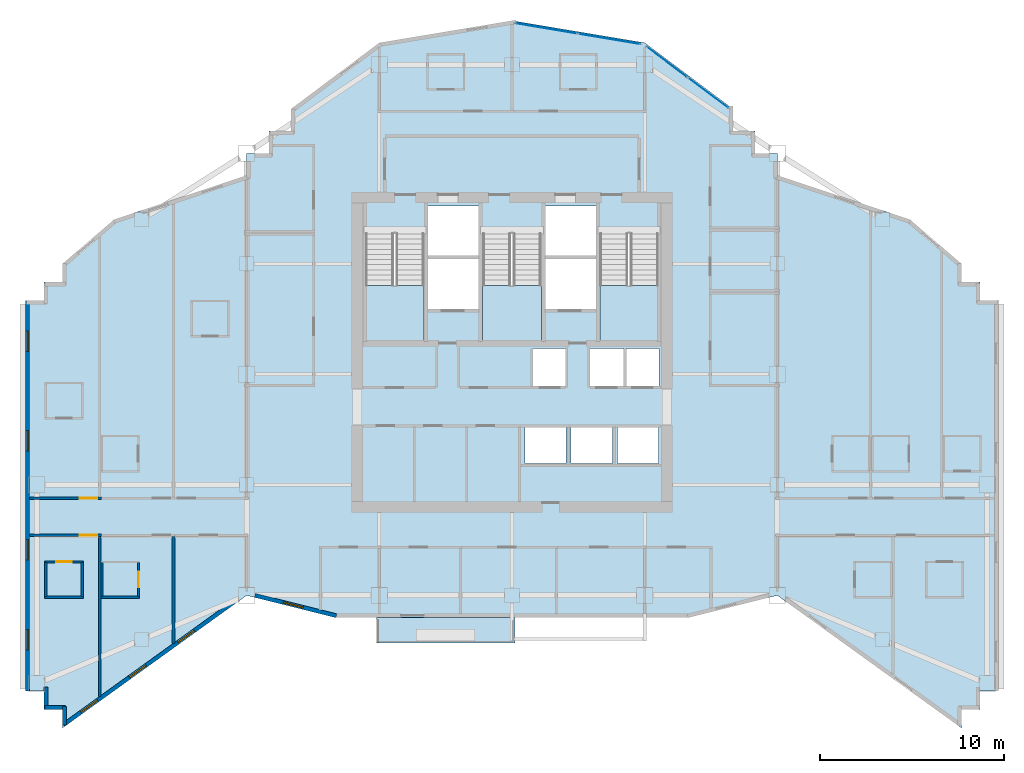
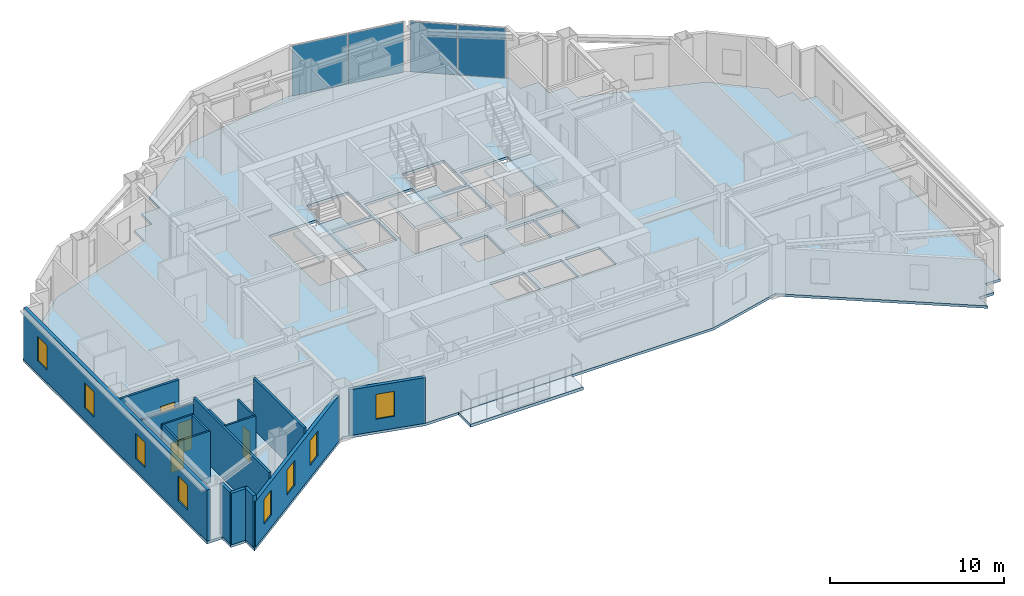
# One storey, part 4 of 13: 17 walls, 8 windows, 5 slabs, 4 doors, 4 plates, 12 openings, 5 elements without a shape of their own.
"""IFC4 building model written with IfcOpenShell, lengths in metres."""

from ifc_helpers import new_model, si_unit, direction, frame, frame_2d, origin, origin_2d, place, context, subcontext, project, spatial, polyline, rectangle, outline, extrude, material, layer, layer_set, type_object, element, fill, aggregate, save


model = new_model("IFC4")

# Units and contexts
model_context = context("Model", 3, precision=1e-05, world=origin(), true_north=direction((0.0, 1.0)))
body_context = subcontext(model_context, "Body", "Model", "MODEL_VIEW")
ifc_project = project(units=[si_unit("LENGTHUNIT", "METRE"), si_unit("AREAUNIT", "SQUARE_METRE"), si_unit("VOLUMEUNIT", "CUBIC_METRE"), si_unit("PLANEANGLEUNIT", "RADIAN"), si_unit("MASSUNIT", "GRAM", prefix="KILO")], contexts=[model_context])

# Site, building, storey
site_placement = place(None, origin())
site = spatial("IfcSite", under=ifc_project, at=site_placement, CompositionType="ELEMENT")
building_placement = place(site_placement, origin())
building = spatial("IfcBuilding", under=site, at=building_placement, Name="Haolan Belvedere Tower", CompositionType="ELEMENT")
storey_placement = place(building_placement, frame((0.0, 0.0, 219.199951171875)))
storey = spatial("IfcBuildingStorey", under=building, at=storey_placement, Name="L55", CompositionType="ELEMENT", Elevation=219.199951171875)

# Curtain wall, plates
ifc_material_1 = material(Name="Anodised champagne-silver aluminium 6063-T6 and Low-E glass", Category="aluminium")
ifc_layer_1 = layer(ifc_material_1, 0.14990234375, Name="Anodised champagne-silver aluminium 6063-T6 and Low-E glass")
ifc_layer_set_1 = layer_set([ifc_layer_1], Name="Anodised champagne-silver aluminium 6063-T6 and Low-E glass")
curtain_wall_type = type_object("IfcCurtainWallType", Name="CW-SYS-04", PredefinedType="NOTDEFINED", material=ifc_layer_set_1)
curtain_wall_1_placement = place(storey_placement, origin())
curtain_wall_1 = element("IfcCurtainWall", 1, at=curtain_wall_1_placement, inside=storey, type_object=curtain_wall_type, Name="L55 CW-SYS-04 ribbon curtain wall 20.1", PredefinedType="NOTDEFINED")
ifc_material_2 = material(Name="Double silver Low-E laminated insulating glass", Category="glass")
ifc_layer_2 = layer(ifc_material_2, 0.02392578125, Name="Double silver Low-E laminated insulating glass")
ifc_layer_set_2 = layer_set([ifc_layer_2], Name="Double silver Low-E laminated insulating glass")
plate_type = type_object("IfcPlateType", Name="CW-SYS-04-PNL", PredefinedType="CURTAIN_PANEL", material=ifc_layer_set_2)
plate_1_placement = place(storey_placement, frame((49.0390625, 48.883056640625, 0.052001953125), z_axis=(0.0, 0.0, 1.0), x_axis=(-0.799997871638, 0.600002837806, 0.0)))
plate_1 = element("IfcPlate", 2, at=plate_1_placement, type_object=plate_type, Name="CW-04 panel 1.1", PredefinedType="CURTAIN_PANEL", context=body_context, shape_type="SweptSolid", body=[
    extrude(rectangle(XDim=2.735107421875, YDim=0.02392578125, at=origin_2d()), origin(), (0.0, 0.0, 1.0), 3.51611328125),
])
plate_2_placement = place(storey_placement, frame((46.806396484375, 50.557861328125, 0.052001953125), z_axis=(0.0, 0.0, 1.0), x_axis=(-0.799997871638, 0.600002837806, 0.0)))
plate_2 = element("IfcPlate", 3, at=plate_2_placement, type_object=plate_type, Name="CW-04 panel 2.1", PredefinedType="CURTAIN_PANEL", context=body_context, shape_type="SweptSolid", body=[
    extrude(rectangle(XDim=2.735107421875, YDim=0.02392578125, at=origin_2d()), origin(), (0.0, 0.0, 1.0), 3.51611328125),
])
aggregate(curtain_wall_1, [plate_1, plate_2])

curtain_wall_2_placement = place(storey_placement, origin())
curtain_wall_2 = element("IfcCurtainWall", 4, at=curtain_wall_2_placement, inside=storey, type_object=curtain_wall_type, Name="L55 CW-SYS-04 ribbon curtain wall 21.1", PredefinedType="NOTDEFINED")
plate_3_placement = place(storey_placement, frame((43.683837890625, 51.807861328125, 0.052001953125), z_axis=(0.0, 0.0, 1.0), x_axis=(-0.98639276122, 0.164405962825, 0.0)))
plate_3 = element("IfcPlate", 5, at=plate_3_placement, type_object=plate_type, Name="CW-04 panel 1.1", PredefinedType="CURTAIN_PANEL", context=body_context, shape_type="SweptSolid", body=[
    extrude(rectangle(XDim=3.403076171875, YDim=0.02392578125, at=origin_2d()), origin(), (0.0, 0.0, 1.0), 3.51611328125),
])
plate_4_placement = place(storey_placement, frame((40.271728515625, 52.37646484375, 0.052001953125), z_axis=(0.0, 0.0, 1.0), x_axis=(-0.98639276122, 0.164405962825, 0.0)))
plate_4 = element("IfcPlate", 6, at=plate_4_placement, type_object=plate_type, Name="CW-04 panel 2.1", PredefinedType="CURTAIN_PANEL", context=body_context, shape_type="SweptSolid", body=[
    extrude(rectangle(XDim=3.403076171875, YDim=0.02392578125, at=origin_2d()), origin(), (0.0, 0.0, 1.0), 3.51611328125),
])
aggregate(curtain_wall_2, [plate_3, plate_4])

# Slabs
ifc_material_3 = material(Name="Concrete C40/50", Category="concrete")
ifc_layer_3 = layer(ifc_material_3, 0.2099609375, Name="Concrete C40/50")
ifc_layer_set_3 = layer_set([ifc_layer_3], Name="Concrete C40/50")
slab_type_1 = type_object("IfcSlabType", Name="SL-BAL-210", PredefinedType="FLOOR", material=ifc_layer_set_3)
slab_1_placement = place(storey_placement, frame((0.0, 0.0, -0.22998046875)))
element("IfcSlab", 7, at=slab_1_placement, inside=storey, type_object=slab_type_1, Name="L55 structural tree-planter balcony slab BAL-L55-S1", PredefinedType="FLOOR", context=body_context, shape_type="SweptSolid", body=[
    extrude(outline(polyline([(31.050048828125, 19.02001953125), (38.550048828125, 19.02001953125), (38.550048828125, 20.39990234375), (31.050048828125, 20.39990234375), (31.050048828125, 19.02001953125)])), origin(), (0.0, 0.0, 1.0), 0.2099609375),
])
ifc_layer_4 = layer(ifc_material_3, 0.179931640625, Name="Concrete C40/50")
ifc_layer_set_4 = layer_set([ifc_layer_4], Name="Concrete C40/50")
slab_type_2 = type_object("IfcSlabType", Name="SL-FLR-180", PredefinedType="FLOOR", material=ifc_layer_set_4)
slab_2_placement = place(storey_placement, frame((0.0, 0.0, -0.179931640625)))
element("IfcSlab", 8, at=slab_2_placement, inside=storey, type_object=slab_type_2, Name="L55 structural floor slab", PredefinedType="FLOOR", context=body_context, shape_type="SweptSolid", body=[
    extrude(outline(polyline([(24.0, 21.60009765625), (28.800048828125, 20.39990234375), (48.0, 20.39990234375), (52.800048828125, 21.60009765625), (62.800048828125, 14.39990234375), (62.800048828125, 15.39990234375), (63.800048828125, 15.39990234375), (63.800048828125, 16.39990234375), (64.800048828125, 16.39990234375), (64.800048828125, 37.60009765625), (63.800048828125, 37.60009765625), (63.800048828125, 38.60009765625), (62.800048828125, 38.60009765625), (62.800048828125, 39.60009765625), (60.0, 42.0), (52.800048828125, 44.39990234375), (52.800048828125, 45.60009765625), (51.60009765625, 45.60009765625), (51.60009765625, 46.800048828125), (50.39990234375, 46.800048828125), (50.39990234375, 48.0), (45.60009765625, 51.60009765625), (38.39990234375, 52.800048828125), (31.199951171875, 51.60009765625), (26.39990234375, 48.0), (26.39990234375, 46.800048828125), (25.199951171875, 46.800048828125), (25.199951171875, 45.60009765625), (24.0, 45.60009765625), (24.0, 44.39990234375), (16.800048828125, 42.0), (14.0, 39.60009765625), (14.0, 38.60009765625), (13.0, 38.60009765625), (13.0, 37.60009765625), (12.0, 37.60009765625), (12.0, 16.800048828125), (12.0, 16.39990234375), (13.0, 16.39990234375), (13.0, 15.39990234375), (14.0, 15.39990234375), (14.0, 14.39990234375), (24.0, 21.60009765625)]), holes=[polyline([(30.449951171875, 41.22998046875), (30.449951171875, 35.449951171875), (33.6298828125, 35.449951171875), (33.6298828125, 41.22998046875), (30.449951171875, 41.22998046875)]), polyline([(36.81005859375, 41.22998046875), (36.81005859375, 35.449951171875), (39.989990234375, 35.449951171875), (39.989990234375, 41.22998046875), (36.81005859375, 41.22998046875)]), polyline([(43.169921875, 41.22998046875), (43.169921875, 35.449951171875), (46.35009765625, 35.449951171875), (46.35009765625, 41.22998046875), (43.169921875, 41.22998046875)]), polyline([(33.830078125, 40.050048828125), (36.610107421875, 40.050048828125), (36.610107421875, 42.75), (33.830078125, 42.75), (33.830078125, 40.050048828125)]), polyline([(33.830078125, 37.14990234375), (36.610107421875, 37.14990234375), (36.610107421875, 39.85009765625), (33.830078125, 39.85009765625), (33.830078125, 37.14990234375)]), polyline([(40.18994140625, 40.050048828125), (42.969970703125, 40.050048828125), (42.969970703125, 42.75), (40.18994140625, 42.75), (40.18994140625, 40.050048828125)]), polyline([(40.18994140625, 37.14990234375), (42.969970703125, 37.14990234375), (42.969970703125, 39.85009765625), (40.18994140625, 39.85009765625), (40.18994140625, 37.14990234375)]), polyline([(39.5400390625, 32.949951171875), (41.389892578125, 32.949951171875), (41.389892578125, 35.0), (39.5400390625, 35.0), (39.5400390625, 32.949951171875)]), polyline([(42.6201171875, 32.949951171875), (44.469970703125, 32.949951171875), (44.469970703125, 35.0), (42.6201171875, 35.0), (42.6201171875, 32.949951171875)]), polyline([(44.580078125, 32.949951171875), (46.3798828125, 32.949951171875), (46.3798828125, 35.0), (44.580078125, 35.0), (44.580078125, 32.949951171875)]), polyline([(39.10009765625, 28.75), (41.340087890625, 28.75), (41.340087890625, 30.75), (39.10009765625, 30.75), (39.10009765625, 28.75)]), polyline([(41.610107421875, 28.75), (43.85009765625, 28.75), (43.85009765625, 30.75), (41.610107421875, 30.75), (41.610107421875, 28.75)]), polyline([(44.1201171875, 28.75), (46.360107421875, 28.75), (46.360107421875, 30.75), (44.1201171875, 30.75), (44.1201171875, 28.75)])]), origin(), (0.0, 0.0, 1.0), 0.179931640625),
])

# Stair, slab
stair_type = type_object("IfcStairType", Name="STR-DL-22R-173", PredefinedType="HALF_TURN_STAIR", material=ifc_material_3)
stair_1_placement = place(storey_placement, origin())
stair_1 = element("IfcStair", 9, at=stair_1_placement, inside=storey, type_object=stair_type, Name="L55 Smokeproof Core Exit Stair ST1", PredefinedType="HALF_TURN_STAIR")
ifc_layer_5 = layer(ifc_material_3, 0.199951171875, Name="Concrete C40/50")
ifc_layer_set_5 = layer_set([ifc_layer_5], Name="Concrete C40/50")
slab_type_3 = type_object("IfcSlabType", Name="SL-LAND-200", PredefinedType="LANDING", material=ifc_layer_set_5)
slab_3_placement = place(storey_placement, frame((0.0, 0.0, 1.699951171875)))
slab_3 = element("IfcSlab", 10, at=slab_3_placement, type_object=slab_type_3, Name="ST1 landing 1", PredefinedType="LANDING", context=body_context, shape_type="SweptSolid", body=[
    extrude(outline(polyline([(30.449951171875, 38.429931640625), (30.449951171875, 35.449951171875), (33.6298828125, 35.449951171875), (33.6298828125, 38.429931640625), (30.449951171875, 38.429931640625)])), origin(), (0.0, 0.0, 1.0), 0.2001953125),
])
aggregate(stair_1, [slab_3])

stair_2_placement = place(storey_placement, origin())
stair_2 = element("IfcStair", 11, at=stair_2_placement, inside=storey, type_object=stair_type, Name="L55 Smokeproof Core Exit Stair ST3", PredefinedType="HALF_TURN_STAIR")
slab_4_placement = place(storey_placement, frame((0.0, 0.0, 1.699951171875)))
slab_4 = element("IfcSlab", 12, at=slab_4_placement, type_object=slab_type_3, Name="ST3 landing 1", PredefinedType="LANDING", context=body_context, shape_type="SweptSolid", body=[
    extrude(outline(polyline([(36.81005859375, 38.429931640625), (36.81005859375, 35.449951171875), (39.989990234375, 35.449951171875), (39.989990234375, 38.429931640625), (36.81005859375, 38.429931640625)])), origin(), (0.0, 0.0, 1.0), 0.2001953125),
])
aggregate(stair_2, [slab_4])

stair_3_placement = place(storey_placement, origin())
stair_3 = element("IfcStair", 13, at=stair_3_placement, inside=storey, type_object=stair_type, Name="L55 Smokeproof Core Exit Stair ST2", PredefinedType="HALF_TURN_STAIR")
slab_5_placement = place(storey_placement, frame((0.0, 0.0, 1.699951171875)))
slab_5 = element("IfcSlab", 14, at=slab_5_placement, type_object=slab_type_3, Name="ST2 landing 1", PredefinedType="LANDING", context=body_context, shape_type="SweptSolid", body=[
    extrude(outline(polyline([(43.169921875, 38.429931640625), (43.169921875, 35.449951171875), (46.35009765625, 35.449951171875), (46.35009765625, 38.429931640625), (43.169921875, 38.429931640625)])), origin(), (0.0, 0.0, 1.0), 0.2001953125),
])
aggregate(stair_3, [slab_5])

# Wall, openings, windows
ifc_material_4 = material(Name="Precast concrete C40/50", Category="concrete")
ifc_layer_6 = layer(ifc_material_4, 0.219970703125, Name="Precast concrete C40/50")
ifc_layer_set_6 = layer_set([ifc_layer_6], Name="Precast concrete C40/50")
wall_type_1 = type_object("IfcWallType", Name="WL-EXT-220", PredefinedType="SOLIDWALL", material=ifc_layer_set_6)
wall_1_placement = place(storey_placement, frame((12.110107421875, 37.544921875, 0.0), z_axis=(0.0, 0.0, 1.0), x_axis=(0.0, -1.0, 0.0)))
wall_1 = element("IfcWall", 15, at=wall_1_placement, inside=storey, type_object=wall_type_1, Name="L55 pale-metal exterior spandrel wall 35.1", PredefinedType="SOLIDWALL", context=body_context, shape_type="SweptSolid", body=[
    extrude(rectangle(XDim=21.14501953125, YDim=0.219970703125, at=frame_2d((10.572509765625, 0.0))), origin(), (0.0, 0.0, 1.0), 3.6201171875),
])
opening_1_placement = place(wall_1_placement, frame((1.60009765625, 0.0, 0.85009765625)))
opening_1 = element("IfcOpeningElement", 16, at=opening_1_placement, cuts=wall_1, Name="Opening W-03", PredefinedType="OPENING", context=body_context, shape_type="SweptSolid", body=[
    extrude(rectangle(XDim=1.10009765625, YDim=1.75, at=frame_2d((0.550048828125, 0.875))), frame((0.0, 0.119873046875, 0.0), z_axis=(0.0, -1.0, 0.0), x_axis=(1.0, 0.0, 0.0)), (0.0, 0.0, 1.0), 0.239990234375),
])
opening_2_placement = place(wall_1_placement, frame((7.0, 0.0, 0.85009765625)))
opening_2 = element("IfcOpeningElement", 17, at=opening_2_placement, cuts=wall_1, Name="Opening W-03", PredefinedType="OPENING", context=body_context, shape_type="SweptSolid", body=[
    extrude(rectangle(XDim=1.10009765625, YDim=1.75, at=frame_2d((0.550048828125, 0.875))), frame((0.0, 0.119873046875, 0.0), z_axis=(0.0, -1.0, 0.0), x_axis=(1.0, 0.0, 0.0)), (0.0, 0.0, 1.0), 0.239990234375),
])
opening_3_placement = place(wall_1_placement, frame((12.909912109375, 0.0, 0.85009765625)))
opening_3 = element("IfcOpeningElement", 18, at=opening_3_placement, cuts=wall_1, Name="Opening W-03", PredefinedType="OPENING", context=body_context, shape_type="SweptSolid", body=[
    extrude(rectangle(XDim=1.10009765625, YDim=1.75, at=frame_2d((0.550048828125, 0.875))), frame((0.0, 0.119873046875, 0.0), z_axis=(0.0, -1.0, 0.0), x_axis=(1.0, 0.0, 0.0)), (0.0, 0.0, 1.0), 0.239990234375),
])
opening_4_placement = place(wall_1_placement, frame((17.800048828125, 0.0, 0.85009765625)))
opening_4 = element("IfcOpeningElement", 19, at=opening_4_placement, cuts=wall_1, Name="Opening W-03", PredefinedType="OPENING", context=body_context, shape_type="SweptSolid", body=[
    extrude(rectangle(XDim=1.10009765625, YDim=1.75, at=frame_2d((0.550048828125, 0.875))), frame((0.0, 0.119873046875, 0.0), z_axis=(0.0, -1.0, 0.0), x_axis=(1.0, 0.0, 0.0)), (0.0, 0.0, 1.0), 0.239990234375),
])
ifc_material_5 = material(Name="Anodised aluminium 6063-T6 and Low-E glass", Category="aluminium")
window_type = type_object("IfcWindowType", Name="WN-DECO-Z3", PartitioningType="SINGLE_PANEL", PredefinedType="WINDOW", material=ifc_material_5)
window_1_placement = place(opening_1_placement, origin())
window_1 = element("IfcWindow", 20, at=window_1_placement, inside=storey, type_object=window_type, Name="L55 Art Deco chevron window 1", OverallHeight=1.75, OverallWidth=1.10009765625, PartitioningType="SINGLE_PANEL", PredefinedType="WINDOW", context=body_context, shape_type="SweptSolid", body=[
    extrude(rectangle(XDim=1.10009765625, YDim=1.75, at=frame_2d((0.550048828125, 0.875))), frame((0.0, 0.030029296875, 0.0), z_axis=(0.0, -1.0, 0.0), x_axis=(1.0, 0.0, 0.0)), (0.0, 0.0, 1.0), 0.06005859375),
])
fill(opening_1, window_1)
window_2_placement = place(opening_2_placement, origin())
window_2 = element("IfcWindow", 21, at=window_2_placement, inside=storey, type_object=window_type, Name="L55 Art Deco chevron window 2", OverallHeight=1.75, OverallWidth=1.10009765625, PartitioningType="SINGLE_PANEL", PredefinedType="WINDOW", context=body_context, shape_type="SweptSolid", body=[
    extrude(rectangle(XDim=1.10009765625, YDim=1.75, at=frame_2d((0.550048828125, 0.875))), frame((0.0, 0.030029296875, 0.0), z_axis=(0.0, -1.0, 0.0), x_axis=(1.0, 0.0, 0.0)), (0.0, 0.0, 1.0), 0.06005859375),
])
fill(opening_2, window_2)
window_3_placement = place(opening_3_placement, origin())
window_3 = element("IfcWindow", 22, at=window_3_placement, inside=storey, type_object=window_type, Name="L55 Art Deco chevron window 3", OverallHeight=1.75, OverallWidth=1.10009765625, PartitioningType="SINGLE_PANEL", PredefinedType="WINDOW", context=body_context, shape_type="SweptSolid", body=[
    extrude(rectangle(XDim=1.10009765625, YDim=1.75, at=frame_2d((0.550048828125, 0.875))), frame((0.0, 0.030029296875, 0.0), z_axis=(0.0, -1.0, 0.0), x_axis=(1.0, 0.0, 0.0)), (0.0, 0.0, 1.0), 0.06005859375),
])
fill(opening_3, window_3)
window_4_placement = place(opening_4_placement, origin())
window_4 = element("IfcWindow", 23, at=window_4_placement, inside=storey, type_object=window_type, Name="L55 Art Deco chevron window 4", OverallHeight=1.75, OverallWidth=1.10009765625, PartitioningType="SINGLE_PANEL", PredefinedType="WINDOW", context=body_context, shape_type="SweptSolid", body=[
    extrude(rectangle(XDim=1.10009765625, YDim=1.75, at=frame_2d((0.550048828125, 0.875))), frame((0.0, 0.030029296875, 0.0), z_axis=(0.0, -1.0, 0.0), x_axis=(1.0, 0.0, 0.0)), (0.0, 0.0, 1.0), 0.06005859375),
])
fill(opening_4, window_4)

# Walls
wall_2_placement = place(storey_placement, frame((13.110107421875, 16.6201171875, 0.0), z_axis=(0.0, 0.0, 1.0), x_axis=(0.0, -1.0, 0.0)))
element("IfcWall", 24, at=wall_2_placement, inside=storey, type_object=wall_type_1, Name="L55 pale-metal exterior spandrel wall 37.1", PredefinedType="SOLIDWALL", context=body_context, shape_type="SweptSolid", body=[
    extrude(rectangle(XDim=1.1650390625, YDim=0.219970703125, at=frame_2d((0.58251953125, 0.0))), origin(), (0.0, 0.0, 1.0), 3.6201171875),
])
wall_3_placement = place(storey_placement, frame((13.054931640625, 15.510009765625, 0.0), z_axis=(0.0, 0.0, 1.0), x_axis=(1.0, 0.0, 0.0)))
element("IfcWall", 25, at=wall_3_placement, inside=storey, type_object=wall_type_1, Name="L55 pale-metal exterior spandrel wall 38.1", PredefinedType="SOLIDWALL", context=body_context, shape_type="SweptSolid", body=[
    extrude(rectangle(XDim=1.110107421875, YDim=0.219970703125, at=frame_2d((0.55517578125, 0.0))), origin(), (0.0, 0.0, 1.0), 3.6201171875),
])
wall_4_placement = place(storey_placement, frame((14.110107421875, 15.56494140625, 0.0), z_axis=(0.0, 0.0, 1.0), x_axis=(0.0, -1.0, 0.0)))
element("IfcWall", 26, at=wall_4_placement, inside=storey, type_object=wall_type_1, Name="L55 pale-metal exterior spandrel wall 39.1", PredefinedType="SOLIDWALL", context=body_context, shape_type="SweptSolid", body=[
    extrude(rectangle(XDim=1.005126953125, YDim=0.219970703125, at=frame_2d((0.50244140625, 0.0))), origin(), (0.0, 0.0, 1.0), 3.6201171875),
])

# Wall, openings, windows
wall_5_placement = place(storey_placement, frame((14.0654296875, 14.58251953125, 0.0), z_axis=(0.0, 0.0, 1.0), x_axis=(0.811534737332, 0.58430417601, 0.0)))
wall_5 = element("IfcWall", 27, at=wall_5_placement, inside=storey, type_object=wall_type_1, Name="L55 pale-metal exterior spandrel wall 40.1", PredefinedType="SOLIDWALL", context=body_context, shape_type="SweptSolid", body=[
    extrude(rectangle(XDim=11.697265625, YDim=0.219970703125, at=frame_2d((5.8486328125, 0.0))), origin(), (0.0, 0.0, 1.0), 3.215087890625),
])
opening_5_placement = place(wall_5_placement, frame((1.1591796875, 0.0, 0.85009765625)))
opening_5 = element("IfcOpeningElement", 28, at=opening_5_placement, cuts=wall_5, Name="Opening W-03", PredefinedType="OPENING", context=body_context, shape_type="SweptSolid", body=[
    extrude(rectangle(XDim=1.10009765625, YDim=1.75, at=frame_2d((0.550048828125, 0.875))), frame((0.0, 0.119873046875, 0.0), z_axis=(0.0, -1.0, 0.0), x_axis=(1.0, 0.0, 0.0)), (0.0, 0.0, 1.0), 0.239990234375),
])
opening_6_placement = place(wall_5_placement, frame((7.64599609375, 0.0, 0.85009765625)))
opening_6 = element("IfcOpeningElement", 29, at=opening_6_placement, cuts=wall_5, Name="Opening W-03", PredefinedType="OPENING", context=body_context, shape_type="SweptSolid", body=[
    extrude(rectangle(XDim=1.10009765625, YDim=1.75, at=frame_2d((0.550048828125, 0.875))), frame((0.0, 0.119873046875, 0.0), z_axis=(0.0, -1.0, 0.0), x_axis=(1.0, 0.0, 0.0)), (0.0, 0.0, 1.0), 0.239990234375),
])
opening_7_placement = place(wall_5_placement, frame((4.402587890625, 0.0, 0.85009765625)))
opening_7 = element("IfcOpeningElement", 30, at=opening_7_placement, cuts=wall_5, Name="Opening W-03", PredefinedType="OPENING", context=body_context, shape_type="SweptSolid", body=[
    extrude(rectangle(XDim=1.10009765625, YDim=1.75, at=frame_2d((0.550048828125, 0.875))), frame((0.0, 0.119873046875, 0.0), z_axis=(0.0, -1.0, 0.0), x_axis=(1.0, 0.0, 0.0)), (0.0, 0.0, 1.0), 0.239990234375),
])
window_5_placement = place(opening_5_placement, origin())
window_5 = element("IfcWindow", 31, at=window_5_placement, inside=storey, type_object=window_type, Name="L55 Art Deco chevron window 1", OverallHeight=1.75, OverallWidth=1.10009765625, PartitioningType="SINGLE_PANEL", PredefinedType="WINDOW", context=body_context, shape_type="SweptSolid", body=[
    extrude(rectangle(XDim=1.10009765625, YDim=1.75, at=frame_2d((0.550048828125, 0.875))), frame((0.0, 0.030029296875, 0.0), z_axis=(0.0, -1.0, 0.0), x_axis=(1.0, 0.0, 0.0)), (0.0, 0.0, 1.0), 0.06005859375),
])
fill(opening_5, window_5)
window_6_placement = place(opening_6_placement, origin())
window_6 = element("IfcWindow", 32, at=window_6_placement, inside=storey, type_object=window_type, Name="L55 Art Deco chevron window 2", OverallHeight=1.75, OverallWidth=1.10009765625, PartitioningType="SINGLE_PANEL", PredefinedType="WINDOW", context=body_context, shape_type="SweptSolid", body=[
    extrude(rectangle(XDim=1.10009765625, YDim=1.75, at=frame_2d((0.550048828125, 0.875))), frame((0.0, 0.030029296875, 0.0), z_axis=(0.0, -1.0, 0.0), x_axis=(1.0, 0.0, 0.0)), (0.0, 0.0, 1.0), 0.06005859375),
])
fill(opening_6, window_6)
window_7_placement = place(opening_7_placement, origin())
window_7 = element("IfcWindow", 33, at=window_7_placement, inside=storey, type_object=window_type, Name="L55 Art Deco guestroom window 2", OverallHeight=1.75, OverallWidth=1.10009765625, PartitioningType="SINGLE_PANEL", PredefinedType="WINDOW", context=body_context, shape_type="SweptSolid", body=[
    extrude(rectangle(XDim=1.10009765625, YDim=1.75, at=frame_2d((0.550048828125, 0.875))), frame((0.0, 0.030029296875, 0.0), z_axis=(0.0, -1.0, 0.0), x_axis=(1.0, 0.0, 0.0)), (0.0, 0.0, 1.0), 0.06005859375),
])
fill(opening_7, window_7)

# Wall, opening, window
wall_6_placement = place(storey_placement, frame((24.44189453125, 21.602783203125, 0.0), z_axis=(0.0, 0.0, 1.0), x_axis=(0.970145648609, -0.242523030833, 0.0)))
wall_6 = element("IfcWall", 34, at=wall_6_placement, inside=storey, type_object=wall_type_1, Name="L55 pale-metal exterior spandrel wall 41.1", PredefinedType="SOLIDWALL", context=body_context, shape_type="SweptSolid", body=[
    extrude(rectangle(XDim=4.561279296875, YDim=0.219970703125, at=frame_2d((2.28076171875, 0.0))), origin(), (0.0, 0.0, 1.0), 3.215087890625),
])
opening_8_placement = place(wall_6_placement, frame((1.60009765625, 0.0, 0.85009765625)))
opening_8 = element("IfcOpeningElement", 35, at=opening_8_placement, cuts=wall_6, Name="Opening W-03", PredefinedType="OPENING", context=body_context, shape_type="SweptSolid", body=[
    extrude(rectangle(XDim=1.10009765625, YDim=1.75, at=frame_2d((0.550048828125, 0.875))), frame((0.0, 0.119873046875, 0.0), z_axis=(0.0, -1.0, 0.0), x_axis=(1.0, 0.0, 0.0)), (0.0, 0.0, 1.0), 0.239990234375),
])
window_8_placement = place(opening_8_placement, origin())
window_8 = element("IfcWindow", 36, at=window_8_placement, inside=storey, type_object=window_type, Name="L55 Art Deco chevron window 1", OverallHeight=1.75, OverallWidth=1.10009765625, PartitioningType="SINGLE_PANEL", PredefinedType="WINDOW", context=body_context, shape_type="SweptSolid", body=[
    extrude(rectangle(XDim=1.10009765625, YDim=1.75, at=frame_2d((0.550048828125, 0.875))), frame((0.0, 0.030029296875, 0.0), z_axis=(0.0, -1.0, 0.0), x_axis=(1.0, 0.0, 0.0)), (0.0, 0.0, 1.0), 0.06005859375),
])
fill(opening_8, window_8)

# Wall, opening, door
ifc_material_6 = material(Name="Double gypsum acoustic stud partition", Category="masonry")
ifc_layer_7 = layer(ifc_material_6, 0.14990234375, Name="Double gypsum acoustic stud partition")
ifc_layer_set_7 = layer_set([ifc_layer_7], Name="Double gypsum acoustic stud partition")
wall_type_2 = type_object("IfcWallType", Name="WL-PART-150", PredefinedType="PARTITIONING", material=ifc_layer_set_7)
wall_7_placement = place(storey_placement, frame((12.2119140625, 26.8798828125, 0.0), z_axis=(0.0, 0.0, 1.0), x_axis=(1.0, 0.0, 0.0)))
wall_7 = element("IfcWall", 37, at=wall_7_placement, inside=storey, type_object=wall_type_2, Name="L55 interior partition IW-L55-T2N1-S", PredefinedType="PARTITIONING", context=body_context, shape_type="SweptSolid", body=[
    extrude(rectangle(XDim=3.91796875, YDim=0.14990234375, at=frame_2d((1.958984375, 0.0))), origin(), (0.0, 0.0, 1.0), 3.6201171875),
])
opening_9_placement = place(wall_7_placement, frame((2.71337890625, 0.0, 0.0)))
opening_9 = element("IfcOpeningElement", 38, at=opening_9_placement, cuts=wall_7, Name="Opening ID-02", PredefinedType="OPENING", context=body_context, shape_type="SweptSolid", body=[
    extrude(rectangle(XDim=0.949951171875, YDim=2.14990234375, at=frame_2d((0.47509765625, 1.074951171875))), frame((0.0, 0.0849609375, 0.0), z_axis=(0.0, -1.0, 0.0), x_axis=(1.0, 0.0, 0.0)), (0.0, 0.0, 1.0), 0.169921875),
])
ifc_material_7 = material(Name="Acoustic oak veneer fire-rated timber", Category="wood")
door_type_1 = type_object("IfcDoorType", Name="DR-GUEST-950", OperationType="NOTDEFINED", PredefinedType="DOOR", material=ifc_material_7)
door_1_placement = place(opening_9_placement, origin())
door_1 = element("IfcDoor", 39, at=door_1_placement, inside=storey, type_object=door_type_1, Name="L55 door ID-L55-T2N1-ENT", OperationType="SINGLE_SWING_RIGHT", OverallHeight=2.14990234375, OverallWidth=0.949951171875, PredefinedType="DOOR", context=body_context, shape_type="SweptSolid", body=[
    extrude(rectangle(XDim=0.949951171875, YDim=2.14990234375, at=frame_2d((0.47509765625, 1.074951171875))), frame((0.0, 0.02490234375, 0.0), z_axis=(0.0, -1.0, 0.0), x_axis=(1.0, 0.0, 0.0)), (0.0, 0.0, 1.0), 0.050048828125),
])
fill(opening_9, door_1)

wall_8_placement = place(storey_placement, frame((12.2119140625, 24.8701171875, 0.0), z_axis=(0.0, 0.0, 1.0), x_axis=(1.0, 0.0, 0.0)))
wall_8 = element("IfcWall", 40, at=wall_8_placement, inside=storey, type_object=wall_type_2, Name="L55 interior partition IW-L55-T2S1-N", PredefinedType="PARTITIONING", context=body_context, shape_type="SweptSolid", body=[
    extrude(rectangle(XDim=3.91796875, YDim=0.14990234375, at=frame_2d((1.958984375, 0.0))), origin(), (0.0, 0.0, 1.0), 3.255126953125),
])
opening_10_placement = place(wall_8_placement, frame((3.663330078125, 0.0, 0.0), z_axis=(0.0, 0.0, 1.0), x_axis=(-1.0, 0.0, 0.0)))
opening_10 = element("IfcOpeningElement", 41, at=opening_10_placement, cuts=wall_8, Name="Opening ID-02", PredefinedType="OPENING", context=body_context, shape_type="SweptSolid", body=[
    extrude(rectangle(XDim=0.949951171875, YDim=2.14990234375, at=frame_2d((0.47509765625, 1.074951171875))), frame((0.0, 0.0849609375, 0.0), z_axis=(0.0, -1.0, 0.0), x_axis=(1.0, 0.0, 0.0)), (0.0, 0.0, 1.0), 0.169921875),
])
door_2_placement = place(opening_10_placement, origin())
door_2 = element("IfcDoor", 42, at=door_2_placement, inside=storey, type_object=door_type_1, Name="L55 door ID-L55-T2S1-ENT", OperationType="SINGLE_SWING_LEFT", OverallHeight=2.14990234375, OverallWidth=0.949951171875, PredefinedType="DOOR", context=body_context, shape_type="SweptSolid", body=[
    extrude(rectangle(XDim=0.949951171875, YDim=2.14990234375, at=frame_2d((0.47509765625, 1.074951171875))), frame((0.0, 0.02490234375, 0.0), z_axis=(0.0, -1.0, 0.0), x_axis=(1.0, 0.0, 0.0)), (0.0, 0.0, 1.0), 0.050048828125),
])
fill(opening_10, door_2)

# Walls
wall_9_placement = place(storey_placement, frame((16.030029296875, 16.122802734375, 0.0), z_axis=(0.0, 0.0, 1.0), x_axis=(0.0, 1.0, 0.0)))
element("IfcWall", 43, at=wall_9_placement, inside=storey, type_object=wall_type_2, Name="L55 interior partition IW-L55-T2S1-E", PredefinedType="PARTITIONING", context=body_context, shape_type="SweptSolid", body=[
    extrude(rectangle(XDim=8.687255859375, YDim=0.14990234375, at=frame_2d((4.34375, 0.0))), origin(), (0.0, 0.0, 1.0), 3.6201171875),
])
wall_10_placement = place(storey_placement, frame((20.02001953125, 18.99560546875, 0.0), z_axis=(0.0, 0.0, 1.0), x_axis=(0.0, 1.0, 0.0)))
element("IfcWall", 44, at=wall_10_placement, inside=storey, type_object=wall_type_2, Name="L55 interior partition IW-L55-T2S2-E", PredefinedType="PARTITIONING", context=body_context, shape_type="SweptSolid", body=[
    extrude(rectangle(XDim=5.814453125, YDim=0.14990234375, at=frame_2d((2.9072265625, 0.0))), origin(), (0.0, 0.0, 1.0), 3.6201171875),
])

# Wall, opening, door
ifc_material_8 = material(Name="Moisture-resistant gypsum tile partition", Category="masonry")
ifc_layer_8 = layer(ifc_material_8, 0.1201171875, Name="Moisture-resistant gypsum tile partition")
ifc_layer_set_8 = layer_set([ifc_layer_8], Name="Moisture-resistant gypsum tile partition")
wall_type_3 = type_object("IfcWallType", Name="WL-WET-120", PredefinedType="PARTITIONING", material=ifc_layer_set_8)
wall_11_placement = place(storey_placement, frame((13.030029296875, 23.419921875, 0.0), z_axis=(0.0, 0.0, 1.0), x_axis=(1.0, 0.0, 0.0)))
wall_11 = element("IfcWall", 45, at=wall_11_placement, inside=storey, type_object=wall_type_3, Name="L55 interior partition IW-L55-T2S1-BN", PredefinedType="PARTITIONING", context=body_context, shape_type="SweptSolid", body=[
    extrude(rectangle(XDim=2.099853515625, YDim=0.1201171875, at=frame_2d((1.0498046875, 0.0))), origin(), (0.0, 0.0, 1.0), 3.6201171875),
])
opening_11_placement = place(wall_11_placement, frame((1.47509765625, 0.0, 0.0), z_axis=(0.0, 0.0, 1.0), x_axis=(-1.0, 0.0, 0.0)))
opening_11 = element("IfcOpeningElement", 46, at=opening_11_placement, cuts=wall_11, Name="Opening ID-05", PredefinedType="OPENING", context=body_context, shape_type="SweptSolid", body=[
    extrude(rectangle(XDim=0.85009765625, YDim=2.10009765625, at=frame_2d((0.425048828125, 1.050048828125))), frame((0.0, 0.070068359375, 0.0), z_axis=(0.0, -1.0, 0.0), x_axis=(1.0, 0.0, 0.0)), (0.0, 0.0, 1.0), 0.14013671875),
])
ifc_material_9 = material(Name="Moisture-resistant lacquered timber", Category="wood")
door_type_2 = type_object("IfcDoorType", Name="DR-BATH-850", OperationType="NOTDEFINED", PredefinedType="DOOR", material=ifc_material_9)
door_3_placement = place(opening_11_placement, origin())
door_3 = element("IfcDoor", 47, at=door_3_placement, inside=storey, type_object=door_type_2, Name="L55 door ID-L55-T2S1-BATH", OperationType="SINGLE_SWING_RIGHT", OverallHeight=2.10009765625, OverallWidth=0.85009765625, PredefinedType="DOOR", context=body_context, shape_type="SweptSolid", body=[
    extrude(rectangle(XDim=0.85009765625, YDim=2.10009765625, at=frame_2d((0.425048828125, 1.050048828125))), frame((0.0, 0.02490234375, 0.0), z_axis=(0.0, -1.0, 0.0), x_axis=(1.0, 0.0, 0.0)), (0.0, 0.0, 1.0), 0.050048828125),
])
fill(opening_11, door_3)

# Walls
wall_12_placement = place(storey_placement, frame((13.030029296875, 21.5, 0.0), z_axis=(0.0, 0.0, 1.0), x_axis=(1.0, 0.0, 0.0)))
element("IfcWall", 48, at=wall_12_placement, inside=storey, type_object=wall_type_3, Name="L55 interior partition IW-L55-T2S1-BS", PredefinedType="PARTITIONING", context=body_context, shape_type="SweptSolid", body=[
    extrude(rectangle(XDim=2.099853515625, YDim=0.1201171875, at=frame_2d((1.0498046875, 0.0))), origin(), (0.0, 0.0, 1.0), 3.6201171875),
])
for number, where, z_axis, x_axis, name in (
    (49, (13.090087890625, 21.544921875, 0.0), (0.0, 0.0, 1.0), (0.0, 1.0, 0.0), "L55 interior partition IW-L55-T2S1-BW"),
    (50, (15.070068359375, 21.544921875, 0.0), (0.0, 0.0, 1.0), (0.0, 1.0, 0.0), "L55 interior partition IW-L55-T2S1-BE"),
):
    element("IfcWall", number, at=place(storey_placement, frame(where, z_axis=z_axis, x_axis=x_axis)), inside=storey, type_object=wall_type_3, Name=name, PredefinedType="PARTITIONING", context=body_context, shape_type="SweptSolid", body=[
        extrude(rectangle(XDim=1.830078125, YDim=0.1201171875, at=frame_2d((0.9150390625, 0.0))), origin(), (0.0, 0.0, 1.0), 3.6201171875),
    ])
wall_13_placement = place(storey_placement, frame((16.090087890625, 21.5, 0.0), z_axis=(0.0, 0.0, 1.0), x_axis=(1.0, 0.0, 0.0)))
element("IfcWall", 51, at=wall_13_placement, inside=storey, type_object=wall_type_3, Name="L55 interior partition IW-L55-T2S2-BS", PredefinedType="PARTITIONING", context=body_context, shape_type="SweptSolid", body=[
    extrude(rectangle(XDim=2.094970703125, YDim=0.1201171875, at=frame_2d((1.04736328125, 0.0))), origin(), (0.0, 0.0, 1.0), 3.6201171875),
])
wall_14_placement = place(storey_placement, frame((16.14501953125, 21.544921875, 0.0), z_axis=(0.0, 0.0, 1.0), x_axis=(0.0, 1.0, 0.0)))
element("IfcWall", 52, at=wall_14_placement, inside=storey, type_object=wall_type_3, Name="L55 interior partition IW-L55-T2S2-BW", PredefinedType="PARTITIONING", context=body_context, shape_type="SweptSolid", body=[
    extrude(rectangle(XDim=1.830078125, YDim=0.1201171875, at=frame_2d((0.9150390625, 0.0))), origin(), (0.0, 0.0, 1.0), 3.6201171875),
])

# Wall, opening, door
wall_15_placement = place(storey_placement, frame((18.125, 21.544921875, 0.0), z_axis=(0.0, 0.0, 1.0), x_axis=(0.0, 1.0, 0.0)))
wall_15 = element("IfcWall", 53, at=wall_15_placement, inside=storey, type_object=wall_type_3, Name="L55 interior partition IW-L55-T2S2-BE", PredefinedType="PARTITIONING", context=body_context, shape_type="SweptSolid", body=[
    extrude(rectangle(XDim=1.830078125, YDim=0.1201171875, at=frame_2d((0.9150390625, 0.0))), origin(), (0.0, 0.0, 1.0), 3.6201171875),
])
opening_12_placement = place(wall_15_placement, frame((0.489990234375, 0.0, 0.0)))
opening_12 = element("IfcOpeningElement", 54, at=opening_12_placement, cuts=wall_15, Name="Opening ID-05", PredefinedType="OPENING", context=body_context, shape_type="SweptSolid", body=[
    extrude(rectangle(XDim=0.85009765625, YDim=2.10009765625, at=frame_2d((0.425048828125, 1.050048828125))), frame((0.0, 0.070068359375, 0.0), z_axis=(0.0, -1.0, 0.0), x_axis=(1.0, 0.0, 0.0)), (0.0, 0.0, 1.0), 0.14013671875),
])
door_4_placement = place(opening_12_placement, origin())
door_4 = element("IfcDoor", 55, at=door_4_placement, inside=storey, type_object=door_type_2, Name="L55 door ID-L55-T2S2-BATH", OperationType="SINGLE_SWING_LEFT", OverallHeight=2.10009765625, OverallWidth=0.85009765625, PredefinedType="DOOR", context=body_context, shape_type="SweptSolid", body=[
    extrude(rectangle(XDim=0.85009765625, YDim=2.10009765625, at=frame_2d((0.425048828125, 1.050048828125))), frame((0.0, 0.02490234375, 0.0), z_axis=(0.0, -1.0, 0.0), x_axis=(1.0, 0.0, 0.0)), (0.0, 0.0, 1.0), 0.050048828125),
])
fill(opening_12, door_4)

save(model, "model.ifc")
